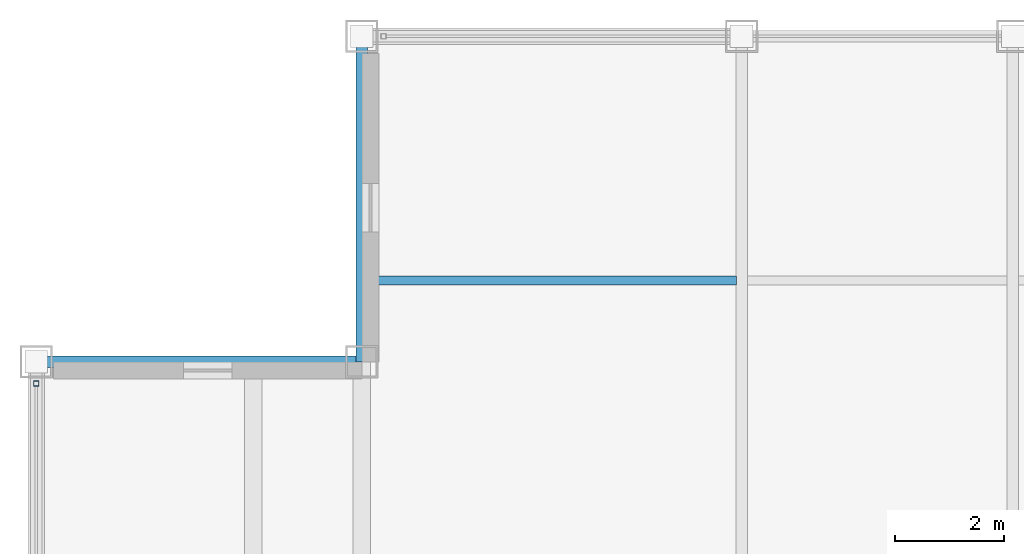
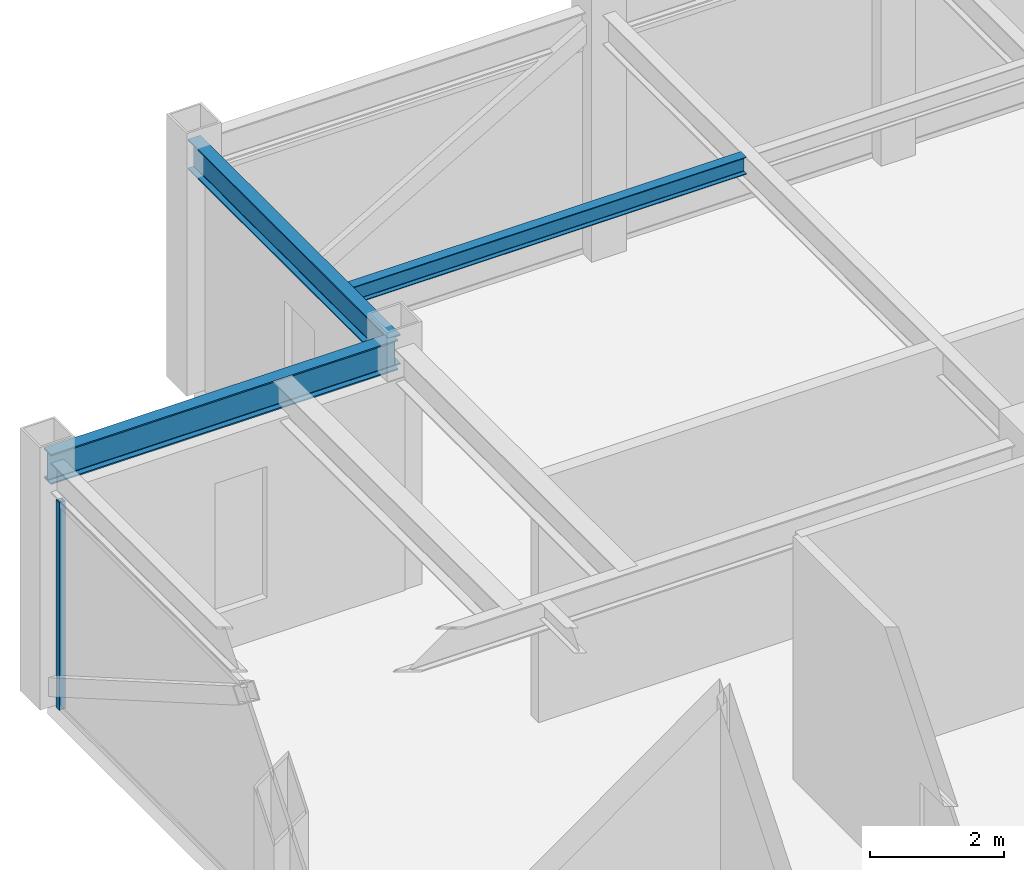
# One storey, part 14 of 27: 3 beams, 1 member, 1 element without a shape of its own.
"""IFC4 building model written with IfcOpenShell, lengths in metres."""

import ifcopenshell
import ifcopenshell.guid

model = None  # the IFC model being written
_history = None  # IfcOwnerHistory: only IFC2X3 demands one
_inside = {}  # id of a spatial element -> (the spatial element, [elements in it])
_under = {}  # id of a project, library or spatial element -> (it, [spatial elements below it])
_declared = {}  # id of a project -> (the project, [libraries it declares])
_typed = {}  # id of a type object -> (the type object, [elements of that type])
_made_of = {}  # id of a material, layer set ... -> (it, [elements and type objects made of it])


def new_model(schema):
    """Start an empty IFC model of exactly this schema.

    Asked for "IFC4X3", IfcOpenShell would pick the latest addendum, in which some entities
    have other attributes; the version numbers below select the first issue.
    IFC2X3 requires an IfcOwnerHistory on every rooted entity: one is made here for all.
    """
    global model, _history
    if schema == "IFC4X3":
        model = ifcopenshell.file(schema_version=(4, 3, 0, 0))
    else:
        model = ifcopenshell.file(schema=schema)
    _inside.clear()
    _under.clear()
    _declared.clear()
    _typed.clear()
    _made_of.clear()
    _history = None
    if model.schema == "IFC2X3":
        org = make("IfcOrganization", Name="unknown")
        user = make(
            "IfcPersonAndOrganization",
            ThePerson=make("IfcPerson", FamilyName="unknown"),
            TheOrganization=org,
        )
        app = make(
            "IfcApplication",
            ApplicationDeveloper=org,
            Version="unknown",
            ApplicationFullName="unknown",
            ApplicationIdentifier="unknown",
        )
        _history = make(
            "IfcOwnerHistory",
            OwningUser=user,
            OwningApplication=app,
            ChangeAction="ADDED",
            CreationDate=0,
        )
    return model


def make(cls, **values):
    """One entity of the class cls with the attributes given. An attribute that is None is left unset."""
    return model.create_entity(
        cls, **{name: value for name, value in values.items() if value is not None}
    )


def rooted(cls, **values):
    """An entity with a GlobalId (a new one), such as an element, a storey or a relation."""
    return make(cls, GlobalId=ifcopenshell.guid.new(), OwnerHistory=_history, **values)


def si_unit(unit_type, name, prefix=None):
    """IfcSIUnit, for example si_unit("LENGTHUNIT", "METRE", prefix="MILLI")."""
    return make("IfcSIUnit", UnitType=unit_type, Prefix=prefix, Name=name)


def assignment(units):
    """IfcUnitAssignment: the units of a project."""
    return None if units is None else make("IfcUnitAssignment", Units=units)


def point(xyz):
    """IfcCartesianPoint."""
    return None if xyz is None else make("IfcCartesianPoint", Coordinates=xyz)


def direction(xyz):
    """IfcDirection."""
    return None if xyz is None else make("IfcDirection", DirectionRatios=xyz)


def frame(location, z_axis=None, x_axis=None):
    """IfcAxis2Placement3D, a coordinate frame: its origin and axes. An axis left out is left unset."""
    return make(
        "IfcAxis2Placement3D",
        Location=point(location),
        Axis=direction(z_axis),
        RefDirection=direction(x_axis),
    )


def frame_2d(location, x_axis=None):
    """IfcAxis2Placement2D, a coordinate frame in the plane: its origin and x axis."""
    return make(
        "IfcAxis2Placement2D", Location=point(location), RefDirection=direction(x_axis)
    )


def origin():
    """The frame at (0, 0, 0) with its axes left unset."""
    return frame((0.0, 0.0, 0.0))


def origin_2d():
    """The frame at (0, 0) in the plane with its x axis left unset."""
    return frame_2d((0.0, 0.0))


def place(relative_to, where):
    """IfcLocalPlacement: puts the frame where relative to a parent placement (None: the world)."""
    return make(
        "IfcLocalPlacement", PlacementRelTo=relative_to, RelativePlacement=where
    )


def context(
    kind, dimensions, precision=None, world=None, true_north=None, identifier=None
):
    """IfcGeometricRepresentationContext, for example the 3D "Model" context."""
    return make(
        "IfcGeometricRepresentationContext",
        ContextIdentifier=identifier,
        ContextType=kind,
        CoordinateSpaceDimension=dimensions,
        Precision=precision,
        WorldCoordinateSystem=world,
        TrueNorth=true_north,
    )


def subcontext(parent, identifier, kind, view, scale=None):
    """IfcGeometricRepresentationSubContext, for example "Body" below "Model"."""
    return make(
        "IfcGeometricRepresentationSubContext",
        ContextIdentifier=identifier,
        ContextType=kind,
        ParentContext=parent,
        TargetScale=scale,
        TargetView=view,
    )


def project(units=None, contexts=None):
    """IfcProject with its units and contexts."""
    return rooted(
        "IfcProject",
        Name="project",
        RepresentationContexts=contexts,
        UnitsInContext=assignment(units),
    )


def spatial(cls, under=None, at=None, **own):
    """A site, building, storey or space (cls), placed at a placement, below another one or the project."""
    s = rooted(cls, ObjectPlacement=at, **own)
    if under is not None:
        _under.setdefault(under.id(), (under, []))[1].append(s)
    return s


def profile(cls, at=None, kind="AREA", **sizes):
    """A parametric profile (cls). Its sizes go by their IFC names, for example OverallWidth=200.0."""
    return make(cls, ProfileType=kind, Position=at, **sizes)


def hollow_rectangle(**sizes):
    """IfcRectangleHollowProfileDef."""
    return profile("IfcRectangleHollowProfileDef", **sizes)


def i_section(**sizes):
    """IfcIShapeProfileDef."""
    return profile("IfcIShapeProfileDef", **sizes)


def extrude(swept, where, along, depth):
    """IfcExtrudedAreaSolid: the profile swept, set in the frame where, extruded along a direction by depth."""
    return make(
        "IfcExtrudedAreaSolid",
        SweptArea=swept,
        Position=where,
        ExtrudedDirection=direction(along),
        Depth=depth,
    )


def shape(context_of_items, identifier, shape_type, items):
    """IfcShapeRepresentation: the items that make up one representation, for example the "Body"."""
    return make(
        "IfcShapeRepresentation",
        ContextOfItems=context_of_items,
        RepresentationIdentifier=identifier,
        RepresentationType=shape_type,
        Items=items,
    )


def source(mapping_origin, context_of_items, identifier, shape_type, items):
    """IfcRepresentationMap: a shape defined once, which mapped items show again and again."""
    return make(
        "IfcRepresentationMap",
        MappingOrigin=mapping_origin,
        MappedRepresentation=shape(context_of_items, identifier, shape_type, items),
    )


def transform(
    local_origin,
    x_axis=None,
    y_axis=None,
    z_axis=None,
    scale=None,
    scale2=None,
    scale3=None,
    uniform=True,
):
    """IfcCartesianTransformationOperator3D, or its non-uniform kind. x_axis, y_axis, z_axis: its Axis1, 2, 3."""
    if uniform:
        return make(
            "IfcCartesianTransformationOperator3D",
            Axis1=direction(x_axis),
            Axis2=direction(y_axis),
            LocalOrigin=point(local_origin),
            Scale=scale,
            Axis3=direction(z_axis),
        )
    return make(
        "IfcCartesianTransformationOperator3DnonUniform",
        Axis1=direction(x_axis),
        Axis2=direction(y_axis),
        LocalOrigin=point(local_origin),
        Scale=scale,
        Axis3=direction(z_axis),
        Scale2=scale2,
        Scale3=scale3,
    )


def mapped(mapping_source, mapping_target):
    """IfcMappedItem: shows the shape of a source again, moved by a transform."""
    return make(
        "IfcMappedItem", MappingSource=mapping_source, MappingTarget=mapping_target
    )


def material(Name=None, Category=None):
    """IfcMaterial."""
    return make("IfcMaterial", Name=Name, Category=Category)


def material_profile(
    of_material, cross_section, Name=None, Category=None, Priority=None
):
    """IfcMaterialProfile: a cross section and its material."""
    return make(
        "IfcMaterialProfile",
        Name=Name,
        Material=of_material,
        Profile=cross_section,
        Priority=Priority,
        Category=Category,
    )


def profile_set(profiles, Name=None, composite=None):
    """IfcMaterialProfileSet."""
    return make(
        "IfcMaterialProfileSet",
        Name=Name,
        MaterialProfiles=profiles,
        CompositeProfile=composite,
    )


def made_of(thing, what):
    """Note that an element or type object is made of a material, layer set ...; save() writes the relation."""
    if what is not None:
        _made_of.setdefault(what.id(), (what, []))[1].append(thing)
    return thing


def type_object(cls, material=None, **own):
    """A type object (cls), such as IfcWallType, which elements share."""
    return made_of(rooted(cls, **own), material)


def element(
    cls,
    number,
    at=None,
    inside=None,
    cuts=None,
    type_object=None,
    material=None,
    context=None,
    identifier="Body",
    shape_type=None,
    held_by="IfcProductDefinitionShape",
    body=None,
    shapes=None,
    **own,
):
    """One element of the class cls, such as IfcWall. Its Tag is "e" and its number.

    at: its placement. inside: the storey or other place that contains it. cuts: it is an
    opening in that element (IfcRelVoidsElement). A single representation is given by context,
    identifier, shape_type and body (its items); several are given by shapes. held_by: the class
    of the entity that holds the representations. save() writes the other relations.
    """
    e = rooted(cls, Tag="e%d" % number, ObjectPlacement=at, **own)
    if body is not None:
        shapes = [shape(context, identifier, shape_type, body)]
    if shapes is not None:
        e.Representation = make(held_by, Representations=shapes)
    if inside is not None:
        _inside.setdefault(inside.id(), (inside, []))[1].append(e)
    if cuts is not None:
        rooted(
            "IfcRelVoidsElement", RelatingBuildingElement=cuts, RelatedOpeningElement=e
        )
    if type_object is not None:
        _typed.setdefault(type_object.id(), (type_object, []))[1].append(e)
    return made_of(e, material)


def aggregate(whole, parts):
    """IfcRelAggregates: a whole, such as a stair, and the parts it consists of."""
    return rooted("IfcRelAggregates", RelatingObject=whole, RelatedObjects=parts)


def save(model, path):
    """Write the relations noted so far, then the file.

    IfcRelAggregates (storeys below a building ...), IfcRelContainedInSpatialStructure (elements
    in a storey), IfcRelDefinesByType, IfcRelAssociatesMaterial and IfcRelDeclares: one each for
    every whole, place, type object, material and project.
    """
    for whole, parts in _under.values():
        aggregate(whole, parts)
    for where, things in _inside.values():
        rooted(
            "IfcRelContainedInSpatialStructure",
            RelatedElements=things,
            RelatingStructure=where,
        )
    for kind, things in _typed.values():
        rooted("IfcRelDefinesByType", RelatedObjects=things, RelatingType=kind)
    for what, things in _made_of.values():
        rooted("IfcRelAssociatesMaterial", RelatedObjects=things, RelatingMaterial=what)
    for by, libraries in _declared.values():
        rooted("IfcRelDeclares", RelatingContext=by, RelatedDefinitions=libraries)
    model.write(path)


model = new_model("IFC4")

# Units and contexts
model_context = context("Model", 3, precision=1e-05, world=origin(), true_north=direction((0.0, 1.0)))
body_context = subcontext(model_context, "Body", "Model", "MODEL_VIEW")
ifc_project = project(units=[si_unit("LENGTHUNIT", "METRE"), si_unit("AREAUNIT", "SQUARE_METRE"), si_unit("VOLUMEUNIT", "CUBIC_METRE"), si_unit("PLANEANGLEUNIT", "RADIAN"), si_unit("MASSUNIT", "GRAM", prefix="KILO")], contexts=[model_context])

# Site, building, storey
site_placement = place(None, origin())
site = spatial("IfcSite", under=ifc_project, at=site_placement, CompositionType="ELEMENT")
building_placement = place(site_placement, origin())
building = spatial("IfcBuilding", under=site, at=building_placement, Name="Khorayat Bourse Tower", CompositionType="ELEMENT")
storey_placement = place(building_placement, frame((0.0, 0.0, 394.699951171875)))
storey = spatial("IfcBuildingStorey", under=building, at=storey_placement, Name="L93", CompositionType="ELEMENT", Elevation=394.699951171875)

# Beams
ifc_material_1 = material(Name="Steel ASTM A992 Grade 50", Category="steel")
ifc_material_profile_1 = material_profile(ifc_material_1, i_section(OverallWidth=0.214111328125, OverallDepth=0.549072265625, WebThickness=0.0146484375, FlangeThickness=0.023681640625, FilletRadius=0.013916015625, at=origin_2d()), Name="W530X138")
ifc_profile_set_1 = profile_set([ifc_material_profile_1], Name="Steel ASTM A992 Grade 50")
beam_type_1 = type_object("IfcBeamType", Name="BM-SPAN-530", PredefinedType="SPANDREL", material=ifc_profile_set_1)
shared_shape_1 = source(origin(), body_context, "Body", "SweptSolid", [
    extrude(i_section(OverallWidth=0.214111328125, OverallDepth=0.549072265625, WebThickness=0.0146484375, FlangeThickness=0.023681640625, FilletRadius=0.013916015625, at=origin_2d()), origin(), (0.0, 0.0, 1.0), 6.0),
])
for number, where, z_axis, x_axis, name in (
    (1, (-18.0, 18.0, 4.175537109375), (0.0, 1.0, 0.0), (-1.0, 0.0, 0.0), "L93 BM-SPAN-530 BM-L93-SPN-046"),
    (2, (-24.0, 18.0, 4.175537109375), (1.0, 0.0, 0.0), (0.0, 1.0, 0.0), "L93 BM-SPAN-530 BM-L93-SPN-047"),
):
    element("IfcBeam", number, at=place(storey_placement, frame(where, z_axis=z_axis, x_axis=x_axis)), inside=storey, type_object=beam_type_1, Name=name, PredefinedType="SPANDREL", context=body_context, shape_type="MappedRepresentation", body=[
        mapped(shared_shape_1, transform((0.0, 0.0, 0.0), scale=1.0)),
    ])
ifc_material_profile_2 = material_profile(ifc_material_1, i_section(OverallWidth=0.1669921875, OverallDepth=0.31689453125, WebThickness=0.007568359375, FlangeThickness=0.01318359375, FilletRadius=0.010009765625, at=origin_2d()), Name="W310X52")
ifc_profile_set_2 = profile_set([ifc_material_profile_2], Name="Steel ASTM A992 Grade 50")
beam_type_2 = type_object("IfcBeamType", Name="BM-JOIST-310", PredefinedType="JOIST", material=ifc_profile_set_2)
shared_shape_2 = source(origin(), body_context, "Body", "SweptSolid", [
    extrude(i_section(OverallWidth=0.1669921875, OverallDepth=0.31689453125, WebThickness=0.007568359375, FlangeThickness=0.01318359375, FilletRadius=0.010009765625, at=origin_2d()), origin(), (0.0, 0.0, 1.0), 6.81005859375),
])
beam_placement = place(storey_placement, frame((-17.905029296875, 19.5, 4.29150390625), z_axis=(1.0, 0.0, 0.0), x_axis=(0.0, 1.0, 0.0)))
element("IfcBeam", 3, at=beam_placement, inside=storey, type_object=beam_type_2, Name="L93 BM-JOIST-310 BM-L93-JSTX-087", PredefinedType="JOIST", context=body_context, shape_type="MappedRepresentation", body=[
    mapped(shared_shape_2, transform((0.0, 0.0, 0.0), scale=1.0)),
])

# Curtain wall, member
ifc_material_2 = material(Name="Aluminium EN AW-6063 T6", Category="aluminium")
curtain_wall_type = type_object("IfcCurtainWallType", Name="CW-SYS-07", PredefinedType="NOTDEFINED", material=ifc_material_2)
curtain_wall_placement = place(storey_placement, origin())
curtain_wall = element("IfcCurtainWall", 4, at=curtain_wall_placement, inside=storey, type_object=curtain_wall_type, Name="L93 Curtain Wall CW-L93-W1", PredefinedType="NOTDEFINED")
ifc_material_profile_3 = material_profile(ifc_material_2, hollow_rectangle(XDim=0.10009765625, YDim=0.10009765625, WallThickness=0.0048828125, at=origin_2d()), Name="ALU 100x100x5")
ifc_profile_set_3 = profile_set([ifc_material_profile_3], Name="Aluminium EN AW-6063 T6")
member_type = type_object("IfcMemberType", Name="CWM-LANTERN-100", PredefinedType="MULLION", material=ifc_profile_set_3)
shared_shape_3 = source(origin(), body_context, "Body", "SweptSolid", [
    extrude(hollow_rectangle(XDim=0.10009765625, YDim=0.10009765625, WallThickness=0.0048828125, at=origin_2d()), origin(), (0.0, 0.0, 1.0), 3.800048828125),
])
member_placement = place(storey_placement, frame((-24.0, 17.60009765625, 0.0), z_axis=(0.0, 0.0, 1.0), x_axis=(-1.0, 0.0, 0.0)))
member = element("IfcMember", 5, at=member_placement, type_object=member_type, Name="CW-L93-W1 Vertical Mullion 3", PredefinedType="MULLION", context=body_context, shape_type="MappedRepresentation", body=[
    mapped(shared_shape_3, transform((0.0, 0.0, 0.0), scale=1.0)),
])
aggregate(curtain_wall, [member])

save(model, "model.ifc")
